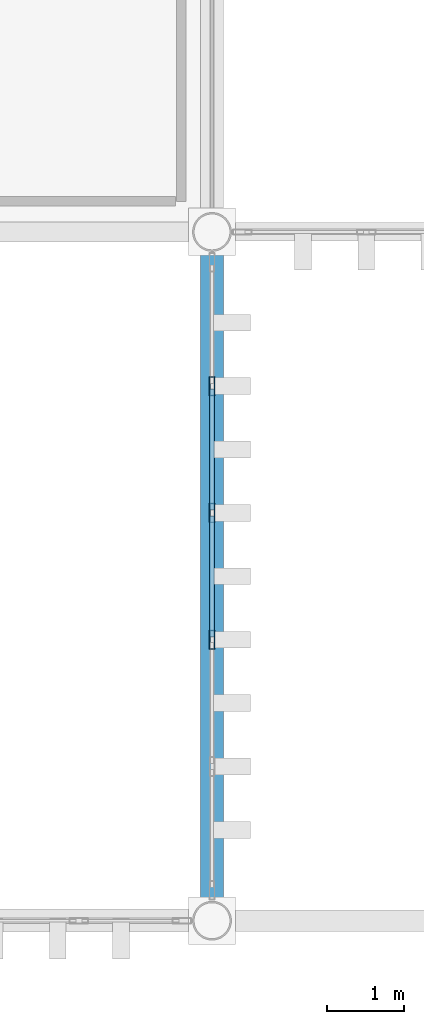
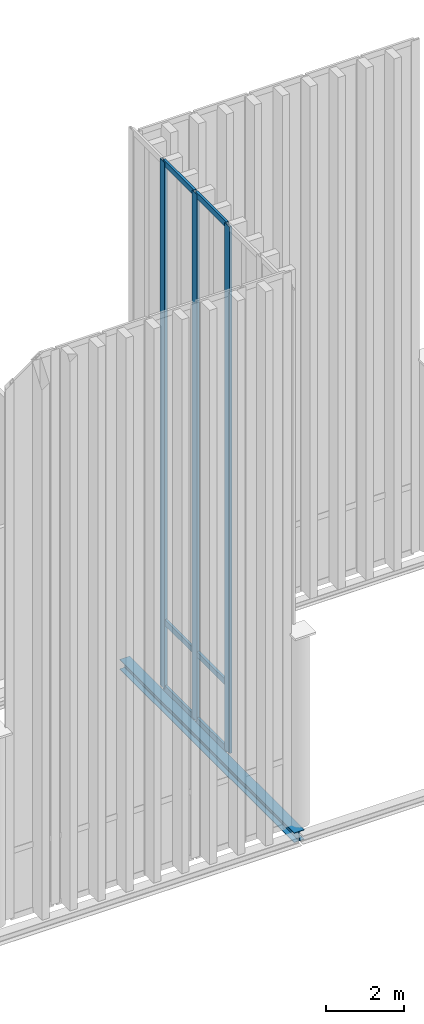
# One storey, part 33 of 237: 9 members, 1 beam, 1 element without a shape of its own.
"""IFC4 building model written with IfcOpenShell, lengths in metres."""

from ifc_helpers import new_model, si_unit, direction, frame, origin, origin_2d, place, context, subcontext, project, spatial, hollow_rectangle, i_section, extrude, material, layer, layer_set, material_profile, profile_set, type_object, element, aggregate, save


model = new_model("IFC4")

# Units and contexts
model_context = context("Model", 3, precision=1e-05, world=origin(), true_north=direction((0.0, 1.0)))
body_context = subcontext(model_context, "Body", "Model", "MODEL_VIEW")
ifc_project = project(units=[si_unit("LENGTHUNIT", "METRE"), si_unit("AREAUNIT", "SQUARE_METRE"), si_unit("VOLUMEUNIT", "CUBIC_METRE"), si_unit("PLANEANGLEUNIT", "RADIAN"), si_unit("MASSUNIT", "GRAM", prefix="KILO")], contexts=[model_context])

# Site, building, storey
site_placement = place(None, origin())
site = spatial("IfcSite", under=ifc_project, at=site_placement, CompositionType="ELEMENT")
building_placement = place(site_placement, origin())
building = spatial("IfcBuilding", under=site, at=building_placement, Name="Barlavento Convention Centre", CompositionType="ELEMENT")
storey_placement = place(building_placement, frame((0.0, 0.0, 12.0)))
storey = spatial("IfcBuildingStorey", under=building, at=storey_placement, Name="L02", CompositionType="ELEMENT", Elevation=12.0)

# Curtain wall, members
ifc_material_1 = material(Name="Powder-coated aluminium and Low-E glass", Category="aluminium")
ifc_layer = layer(ifc_material_1, 0.18994140625)
ifc_layer_set = layer_set([ifc_layer], Name="ARC-CW-CONG-L02")
curtain_wall_type = type_object("IfcCurtainWallType", Name="ARC-CW-CONG-L02", PredefinedType="NOTDEFINED", material=ifc_layer_set)
curtain_wall_placement = place(storey_placement, origin())
curtain_wall = element("IfcCurtainWall", 1, at=curtain_wall_placement, inside=storey, type_object=curtain_wall_type, Name="L02 unitised curtain wall CW02", PredefinedType="NOTDEFINED")
ifc_material_2 = material(Name="Powder-coated aluminium", Category="aluminium")
ifc_material_profile_1 = material_profile(ifc_material_2, hollow_rectangle(XDim=0.074951171875, YDim=0.25, WallThickness=0.006103515625, at=origin_2d()), Name="AL-MULL 75x250x6")
ifc_profile_set_1 = profile_set([ifc_material_profile_1], Name="Powder-coated aluminium")
member_type_1 = type_object("IfcMemberType", Name="ARC-CWM-75X250", PredefinedType="MULLION", material=ifc_profile_set_1)
member_1_placement = place(storey_placement, frame((18.0, 3.671875, 0.0), z_axis=(0.0, 0.0, 1.0), x_axis=(-1.0, 0.0, 0.0)))
member_1 = element("IfcMember", 2, at=member_1_placement, type_object=member_type_1, Name="CW02 mullion 3", PredefinedType="MULLION", context=body_context, shape_type="SweptSolid", body=[
    extrude(hollow_rectangle(XDim=0.074951171875, YDim=0.25, WallThickness=0.006103515625, at=origin_2d()), origin(), (0.0, 0.0, 1.0), 16.493896484375),
])
member_2_placement = place(storey_placement, frame((18.0, 5.328125, 0.0), z_axis=(0.0, 0.0, 1.0), x_axis=(-1.0, 0.0, 0.0)))
member_2 = element("IfcMember", 3, at=member_2_placement, type_object=member_type_1, Name="CW02 mullion 4", PredefinedType="MULLION", context=body_context, shape_type="SweptSolid", body=[
    extrude(hollow_rectangle(XDim=0.074951171875, YDim=0.25, WallThickness=0.006103515625, at=origin_2d()), origin(), (0.0, 0.0, 1.0), 16.493896484375),
])
member_3_placement = place(storey_placement, frame((18.0, 6.984619140625, 0.0), z_axis=(0.0, 0.0, 1.0), x_axis=(-1.0, 0.0, 0.0)))
member_3 = element("IfcMember", 4, at=member_3_placement, type_object=member_type_1, Name="CW02 mullion 5", PredefinedType="MULLION", context=body_context, shape_type="SweptSolid", body=[
    extrude(hollow_rectangle(XDim=0.074951171875, YDim=0.25, WallThickness=0.006103515625, at=origin_2d()), origin(), (0.0, 0.0, 1.0), 16.493896484375),
])
ifc_material_profile_2 = material_profile(ifc_material_2, hollow_rectangle(XDim=0.070068359375, YDim=0.179931640625, WallThickness=0.0048828125, at=origin_2d()), Name="AL-TRAN 70x180x5")
ifc_profile_set_2 = profile_set([ifc_material_profile_2], Name="Powder-coated aluminium")
member_type_2 = type_object("IfcMemberType", Name="ARC-CWT-70X180", PredefinedType="USERDEFINED", material=ifc_profile_set_2)
member_4_placement = place(storey_placement, frame((18.0, 3.709228515625, 0.034912109375), z_axis=(0.0, 1.0, 0.0), x_axis=(-1.0, 0.0, 0.0)))
member_4 = element("IfcMember", 5, at=member_4_placement, type_object=member_type_2, Name="CW02 transom 3.1", ObjectType="TRANSOM", PredefinedType="USERDEFINED", context=body_context, shape_type="SweptSolid", body=[
    extrude(hollow_rectangle(XDim=0.070068359375, YDim=0.179931640625, WallThickness=0.0048828125, at=origin_2d()), origin(), (0.0, 0.0, 1.0), 1.58154296875),
])
member_5_placement = place(storey_placement, frame((18.0, 3.709228515625, 2.10009765625), z_axis=(0.0, 1.0, 0.0), x_axis=(-1.0, 0.0, 0.0)))
member_5 = element("IfcMember", 6, at=member_5_placement, type_object=member_type_2, Name="CW02 transom 3.2", ObjectType="TRANSOM", PredefinedType="USERDEFINED", context=body_context, shape_type="SweptSolid", body=[
    extrude(hollow_rectangle(XDim=0.070068359375, YDim=0.179931640625, WallThickness=0.0048828125, at=origin_2d()), origin(), (0.0, 0.0, 1.0), 1.58154296875),
])
member_6_placement = place(storey_placement, frame((18.0, 3.709228515625, 16.458984375), z_axis=(0.0, 1.0, 0.0), x_axis=(-1.0, 0.0, 0.0)))
member_6 = element("IfcMember", 7, at=member_6_placement, type_object=member_type_2, Name="CW02 transom 3.3", ObjectType="TRANSOM", PredefinedType="USERDEFINED", context=body_context, shape_type="SweptSolid", body=[
    extrude(hollow_rectangle(XDim=0.070068359375, YDim=0.179931640625, WallThickness=0.0048828125, at=origin_2d()), origin(), (0.0, 0.0, 1.0), 1.58154296875),
])
member_7_placement = place(storey_placement, frame((18.0, 5.36572265625, 0.034912109375), z_axis=(0.0, 1.0, 0.0), x_axis=(-1.0, 0.0, 0.0)))
member_7 = element("IfcMember", 8, at=member_7_placement, type_object=member_type_2, Name="CW02 transom 4.1", ObjectType="TRANSOM", PredefinedType="USERDEFINED", context=body_context, shape_type="SweptSolid", body=[
    extrude(hollow_rectangle(XDim=0.070068359375, YDim=0.179931640625, WallThickness=0.0048828125, at=origin_2d()), origin(), (0.0, 0.0, 1.0), 1.581298828125),
])
member_8_placement = place(storey_placement, frame((18.0, 5.36572265625, 2.10009765625), z_axis=(0.0, 1.0, 0.0), x_axis=(-1.0, 0.0, 0.0)))
member_8 = element("IfcMember", 9, at=member_8_placement, type_object=member_type_2, Name="CW02 transom 4.2", ObjectType="TRANSOM", PredefinedType="USERDEFINED", context=body_context, shape_type="SweptSolid", body=[
    extrude(hollow_rectangle(XDim=0.070068359375, YDim=0.179931640625, WallThickness=0.0048828125, at=origin_2d()), origin(), (0.0, 0.0, 1.0), 1.581298828125),
])
member_9_placement = place(storey_placement, frame((18.0, 5.36572265625, 16.458984375), z_axis=(0.0, 1.0, 0.0), x_axis=(-1.0, 0.0, 0.0)))
member_9 = element("IfcMember", 10, at=member_9_placement, type_object=member_type_2, Name="CW02 transom 4.3", ObjectType="TRANSOM", PredefinedType="USERDEFINED", context=body_context, shape_type="SweptSolid", body=[
    extrude(hollow_rectangle(XDim=0.070068359375, YDim=0.179931640625, WallThickness=0.0048828125, at=origin_2d()), origin(), (0.0, 0.0, 1.0), 1.581298828125),
])
aggregate(curtain_wall, [member_1, member_2, member_3, member_4, member_5, member_6, member_7, member_8, member_9])

# Beam
ifc_material_3 = material(Name="Steel S355", Category="steel")
ifc_material_profile_3 = material_profile(ifc_material_3, i_section(OverallWidth=0.300048828125, OverallDepth=0.31005859375, WebThickness=0.009033203125, FlangeThickness=0.015380859375, FilletRadius=0.027099609375, at=origin_2d()), Name="HEA 320")
ifc_profile_set_3 = profile_set([ifc_material_profile_3], Name="Steel S355")
beam_type = type_object("IfcBeamType", Name="STR-BM-SPN-HEA320", PredefinedType="SPANDREL", material=ifc_profile_set_3)
beam_placement = place(storey_placement, frame((18.0, 0.02001953125, -0.455078125), z_axis=(0.0, 1.0, 0.0), x_axis=(-1.0, 0.0, 0.0)))
element("IfcBeam", 11, at=beam_placement, inside=storey, type_object=beam_type, Name="L02 grid girder SP01", PredefinedType="SPANDREL", context=body_context, shape_type="SweptSolid", body=[
    extrude(i_section(OverallWidth=0.300048828125, OverallDepth=0.31005859375, WebThickness=0.009033203125, FlangeThickness=0.015380859375, FilletRadius=0.027099609375, at=origin_2d()), origin(), (0.0, 0.0, 1.0), 8.9599609375),
])

save(model, "model.ifc")
